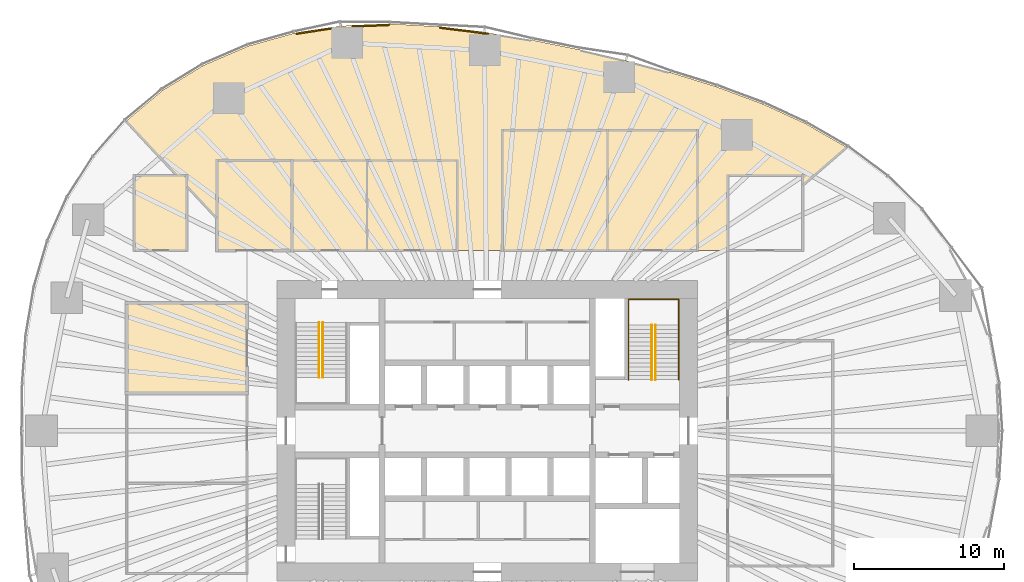
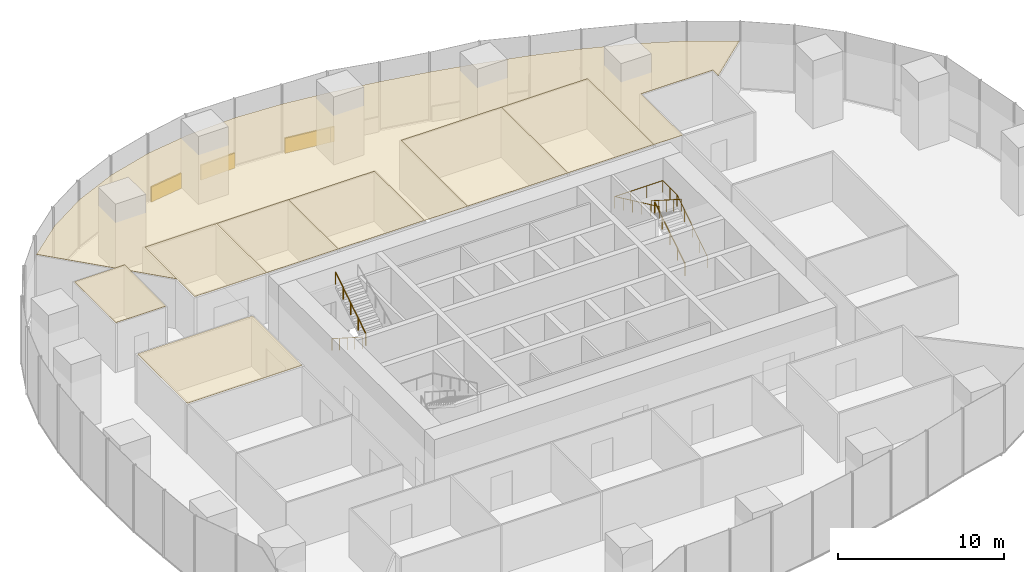
# One storey, part 19 of 20: 12 coverings, 5 railings.
"""IFC4 building model written with IfcOpenShell, lengths in metres."""

from ifc_helpers import new_model, si_unit, direction, frame, origin, origin_2d, place, context, subcontext, project, spatial, polyline, rectangle, circle, outline, extrude, material, layer, layer_set, type_object, element, save


model = new_model("IFC4")

# Units and contexts
model_context = context("Model", 3, precision=1e-05, world=origin(), true_north=direction((0.0, 1.0)))
body_context = subcontext(model_context, "Body", "Model", "MODEL_VIEW")
ifc_project = project(units=[si_unit("LENGTHUNIT", "METRE"), si_unit("AREAUNIT", "SQUARE_METRE"), si_unit("VOLUMEUNIT", "CUBIC_METRE"), si_unit("PLANEANGLEUNIT", "RADIAN"), si_unit("MASSUNIT", "GRAM", prefix="KILO")], contexts=[model_context])

# Site, building, storey
site_placement = place(None, origin())
site = spatial("IfcSite", under=ifc_project, at=site_placement, CompositionType="ELEMENT")
building_placement = place(site_placement, origin())
building = spatial("IfcBuilding", under=site, at=building_placement, Name="Ghaith Harvest Tower", CompositionType="ELEMENT")
storey_placement = place(building_placement, frame((0.0, 0.0, 45.0)))
storey = spatial("IfcBuildingStorey", under=building, at=storey_placement, Name="L09", CompositionType="ELEMENT", Elevation=45.0)

# Coverings
ifc_material_1 = material(Name="Mineral fibre ceiling tile", Category="gypsum")
ifc_layer_1 = layer(ifc_material_1, 0.02490234375)
ifc_layer_set_1 = layer_set([ifc_layer_1], Name="CEILING C2")
covering_type_1 = type_object("IfcCoveringType", Name="CEILING C2", PredefinedType="CEILING", material=ifc_layer_set_1)
covering_1_placement = place(storey_placement, frame((0.0, 0.0, 3.60009765625)))
element("IfcCovering", 1, at=covering_1_placement, inside=storey, type_object=covering_type_1, Name="Ceiling L09-08", PredefinedType="CEILING", context=body_context, shape_type="SweptSolid", body=[
    extrude(outline(polyline([(-24.0, 2.5), (-16.0, 2.5), (-16.0, 8.5), (-24.0, 8.5), (-24.0, 2.5)])), origin(), (0.0, 0.0, 1.0), 0.02490234375),
])
covering_2_placement = place(storey_placement, frame((0.0, 0.0, 3.60009765625)))
element("IfcCovering", 2, at=covering_2_placement, inside=storey, type_object=covering_type_1, Name="Ceiling L09-09", PredefinedType="CEILING", context=body_context, shape_type="SweptSolid", body=[
    extrude(outline(polyline([(-18.0, 12.0), (-13.0, 12.0), (-13.0, 18.0), (-18.0, 18.0), (-18.0, 12.0)])), origin(), (0.0, 0.0, 1.0), 0.02490234375),
])
covering_3_placement = place(storey_placement, frame((0.0, 0.0, 3.60009765625)))
element("IfcCovering", 3, at=covering_3_placement, inside=storey, type_object=covering_type_1, Name="Ceiling L09-10", PredefinedType="CEILING", context=body_context, shape_type="SweptSolid", body=[
    extrude(outline(polyline([(-13.0, 12.0), (-8.0, 12.0), (-8.0, 18.0), (-13.0, 18.0), (-13.0, 12.0)])), origin(), (0.0, 0.0, 1.0), 0.02490234375),
])
covering_4_placement = place(storey_placement, frame((0.0, 0.0, 3.60009765625)))
element("IfcCovering", 4, at=covering_4_placement, inside=storey, type_object=covering_type_1, Name="Ceiling L09-11", PredefinedType="CEILING", context=body_context, shape_type="SweptSolid", body=[
    extrude(outline(polyline([(-8.0, 12.0), (-2.0, 12.0), (-2.0, 18.0), (-8.0, 18.0), (-8.0, 12.0)])), origin(), (0.0, 0.0, 1.0), 0.02490234375),
])
covering_5_placement = place(storey_placement, frame((0.0, 0.0, 3.60009765625)))
element("IfcCovering", 5, at=covering_5_placement, inside=storey, type_object=covering_type_1, Name="Ceiling L09-12", PredefinedType="CEILING", context=body_context, shape_type="SweptSolid", body=[
    extrude(outline(polyline([(1.0, 12.0), (8.0, 12.0), (8.0, 20.0), (1.0, 20.0), (1.0, 12.0)])), origin(), (0.0, 0.0, 1.0), 0.02490234375),
])
covering_6_placement = place(storey_placement, frame((0.0, 0.0, 3.60009765625)))
element("IfcCovering", 6, at=covering_6_placement, inside=storey, type_object=covering_type_1, Name="Ceiling L09-13", PredefinedType="CEILING", context=body_context, shape_type="SweptSolid", body=[
    extrude(outline(polyline([(8.0, 12.0), (14.0, 12.0), (14.0, 20.0), (8.0, 20.0), (8.0, 12.0)])), origin(), (0.0, 0.0, 1.0), 0.02490234375),
])
covering_7_placement = place(storey_placement, frame((0.0, 0.0, 3.60009765625)))
element("IfcCovering", 7, at=covering_7_placement, inside=storey, type_object=covering_type_1, Name="Ceiling L09-17", PredefinedType="CEILING", context=body_context, shape_type="SweptSolid", body=[
    extrude(outline(polyline([(-23.5, 12.0), (-20.0, 12.0), (-20.0, 17.0), (-23.5, 17.0), (-23.5, 12.0)])), origin(), (0.0, 0.0, 1.0), 0.02490234375),
])
covering_8_placement = place(storey_placement, frame((0.0, 0.0, 3.60009765625)))
element("IfcCovering", 8, at=covering_8_placement, inside=storey, type_object=covering_type_1, Name="Ceiling L09-N1", PredefinedType="CEILING", context=body_context, shape_type="SweptSolid", body=[
    extrude(outline(polyline([(-21.59912109375, 22.671142578125), (-18.8935546875, 24.32763671875), (-15.907958984375, 25.614501953125), (-12.828125, 26.476806640625), (-9.733642578125, 26.949951171875), (-6.4375, 27.0849609375), (-3.24755859375, 26.91064453125), (-0.181396484375, 26.527099609375), (2.99560546875, 26.004150390625), (6.10888671875, 25.378662109375), (9.21533203125, 24.65087890625), (12.1796875, 23.857666015625), (15.22119140625, 22.916259765625), (18.34521484375, 21.7548828125), (21.149169921875, 20.469482421875), (23.92431640625, 18.873046875), (21.0, 16.336669921875), (21.0, 17.0), (16.0, 17.0), (16.0, 12.0), (14.0, 12.0), (14.0, 20.0), (1.0, 20.0), (1.0, 12.0), (-2.0, 12.0), (-2.0, 18.0), (-18.0, 18.0), (-18.0, 14.1416015625), (-20.0, 16.283203125), (-20.0, 17.0), (-20.669189453125, 17.0), (-24.04833984375, 20.618408203125), (-21.59912109375, 22.671142578125)])), origin(), (0.0, 0.0, 1.0), 0.02490234375),
])

# Railings
ifc_material_2 = material(Name="Steel, black powder-coated", Category="steel")
railing_type = type_object("IfcRailingType", Name="HANDRAIL HR1", PredefinedType="HANDRAIL", material=ifc_material_2)
railing_1_placement = place(storey_placement, frame((-11.199951171875, 7.199951171875, 0.178466796875)))
element("IfcRailing", 9, at=railing_1_placement, inside=storey, type_object=railing_type, Name="Handrail HR1 stair ST1 L09 flight 1 inner", PredefinedType="HANDRAIL", context=body_context, shape_type="SweptSolid", body=[
    extrude(circle(Radius=0.02392578125, at=origin_2d()), frame((0.0, 0.0, 0.8759765625), z_axis=(0.0, -0.843111507901, 0.53773877045), x_axis=(1.0, 0.0, 0.0)), (0.0, 0.0, 1.0), 4.317138671875),
    extrude(circle(Radius=0.02099609375, at=origin_2d()), origin(), (0.0, 0.0, 1.0), 0.851806640625),
    extrude(circle(Radius=0.02099609375, at=origin_2d()), frame((0.0, -0.909912109375, 0.580322265625)), (0.0, 0.0, 1.0), 0.851806640625),
    extrude(circle(Radius=0.02099609375, at=origin_2d()), frame((0.0, -1.81982421875, 1.16064453125)), (0.0, 0.0, 1.0), 0.851806640625),
    extrude(circle(Radius=0.02099609375, at=origin_2d()), frame((0.0, -2.72998046875, 1.7412109375)), (0.0, 0.0, 1.0), 0.851806640625),
    extrude(circle(Radius=0.02099609375, at=origin_2d()), frame((0.0, -3.639892578125, 2.321533203125)), (0.0, 0.0, 1.0), 0.851806640625),
])
railing_2_placement = place(storey_placement, frame((-10.949951171875, 3.56005859375, 2.678466796875)))
element("IfcRailing", 10, at=railing_2_placement, inside=storey, type_object=railing_type, Name="Handrail HR1 stair ST1 L09 flight 2 inner", PredefinedType="HANDRAIL", context=body_context, shape_type="SweptSolid", body=[
    extrude(circle(Radius=0.02392578125, at=origin_2d()), frame((0.0, 0.0, 0.8759765625), z_axis=(0.0, 0.843111507901, 0.53773877045), x_axis=(-1.0, 0.0, 0.0)), (0.0, 0.0, 1.0), 4.317138671875),
    extrude(circle(Radius=0.02099609375, at=origin_2d()), origin(), (0.0, 0.0, 1.0), 0.851806640625),
    extrude(circle(Radius=0.02099609375, at=origin_2d()), frame((0.0, 0.909912109375, 0.580322265625)), (0.0, 0.0, 1.0), 0.851806640625),
    extrude(circle(Radius=0.02099609375, at=origin_2d()), frame((0.0, 1.81982421875, 1.16064453125)), (0.0, 0.0, 1.0), 0.851806640625),
    extrude(circle(Radius=0.02099609375, at=origin_2d()), frame((0.0, 2.72998046875, 1.7412109375)), (0.0, 0.0, 1.0), 0.851806640625),
    extrude(circle(Radius=0.02099609375, at=origin_2d()), frame((0.0, 3.639892578125, 2.321533203125)), (0.0, 0.0, 1.0), 0.851806640625),
])
railing_3_placement = place(storey_placement, frame((11.199951171875, 3.39990234375, 0.178466796875)))
element("IfcRailing", 11, at=railing_3_placement, inside=storey, type_object=railing_type, Name="Handrail HR1 stair ST2 L09 flight 1 inner", PredefinedType="HANDRAIL", context=body_context, shape_type="SweptSolid", body=[
    extrude(circle(Radius=0.02392578125, at=origin_2d()), frame((0.0, 0.0, 0.8759765625), z_axis=(0.0, 0.843127859045, 0.537713132908), x_axis=(-1.0, 0.0, 0.0)), (0.0, 0.0, 1.0), 4.3173828125),
    extrude(circle(Radius=0.02099609375, at=origin_2d()), origin(), (0.0, 0.0, 1.0), 0.851806640625),
    extrude(circle(Radius=0.02099609375, at=origin_2d()), frame((0.0, 0.91015625, 0.580322265625)), (0.0, 0.0, 1.0), 0.851806640625),
    extrude(circle(Radius=0.02099609375, at=origin_2d()), frame((0.0, 1.820068359375, 1.16064453125)), (0.0, 0.0, 1.0), 0.851806640625),
    extrude(circle(Radius=0.02099609375, at=origin_2d()), frame((0.0, 2.72998046875, 1.7412109375)), (0.0, 0.0, 1.0), 0.851806640625),
    extrude(circle(Radius=0.02099609375, at=origin_2d()), frame((0.0, 3.64013671875, 2.321533203125)), (0.0, 0.0, 1.0), 0.851806640625),
])
railing_4_placement = place(storey_placement, frame((10.949951171875, 7.0400390625, 2.678466796875)))
element("IfcRailing", 12, at=railing_4_placement, inside=storey, type_object=railing_type, Name="Handrail HR1 stair ST2 L09 flight 2 inner", PredefinedType="HANDRAIL", context=body_context, shape_type="SweptSolid", body=[
    extrude(circle(Radius=0.02392578125, at=origin_2d()), frame((0.0, 0.0, 0.8759765625), z_axis=(0.0, -0.843127859045, 0.537713132908), x_axis=(1.0, 0.0, 0.0)), (0.0, 0.0, 1.0), 4.3173828125),
    extrude(circle(Radius=0.02099609375, at=origin_2d()), origin(), (0.0, 0.0, 1.0), 0.851806640625),
    extrude(circle(Radius=0.02099609375, at=origin_2d()), frame((0.0, -0.91015625, 0.580322265625)), (0.0, 0.0, 1.0), 0.851806640625),
    extrude(circle(Radius=0.02099609375, at=origin_2d()), frame((0.0, -1.820068359375, 1.16064453125)), (0.0, 0.0, 1.0), 0.851806640625),
    extrude(circle(Radius=0.02099609375, at=origin_2d()), frame((0.0, -2.72998046875, 1.7412109375)), (0.0, 0.0, 1.0), 0.851806640625),
    extrude(circle(Radius=0.02099609375, at=origin_2d()), frame((0.0, -3.64013671875, 2.321533203125)), (0.0, 0.0, 1.0), 0.851806640625),
])
railing_5_placement = place(storey_placement, frame((12.75, 3.39990234375, 0.178466796875)))
element("IfcRailing", 13, at=railing_5_placement, inside=storey, type_object=railing_type, Name="Handrail HR1 stair ST2 L09 wall side", PredefinedType="HANDRAIL", context=body_context, shape_type="SweptSolid", body=[
    extrude(circle(Radius=0.02392578125, at=origin_2d()), frame((0.0, 0.0, 0.8759765625), z_axis=(0.0, 0.843127859045, 0.537713132908), x_axis=(-1.0, 0.0, 0.0)), (0.0, 0.0, 1.0), 4.3173828125),
    extrude(circle(Radius=0.02392578125, at=origin_2d()), frame((0.0, 3.64013671875, 3.197265625), z_axis=(0.0, 1.0, 0.0), x_axis=(-1.0, 0.0, 0.0)), (0.0, 0.0, 1.0), 1.7099609375),
    extrude(circle(Radius=0.02392578125, at=origin_2d()), frame((0.0, 5.35009765625, 3.197265625), z_axis=(-1.0, 0.0, 0.0), x_axis=(0.0, -1.0, 0.0)), (0.0, 0.0, 1.0), 3.35009765625),
    extrude(circle(Radius=0.02392578125, at=origin_2d()), frame((-3.35009765625, 5.35009765625, 3.197265625), z_axis=(0.0, -0.905969675553, 0.423342588193), x_axis=(1.0, 0.0, 0.0)), (0.0, 0.0, 1.0), 5.9052734375),
    extrude(circle(Radius=0.02099609375, at=origin_2d()), origin(), (0.0, 0.0, 1.0), 0.851806640625),
    extrude(circle(Radius=0.02099609375, at=origin_2d()), frame((0.0, 0.91015625, 0.580322265625)), (0.0, 0.0, 1.0), 0.851806640625),
    extrude(circle(Radius=0.02099609375, at=origin_2d()), frame((0.0, 1.820068359375, 1.16064453125)), (0.0, 0.0, 1.0), 0.851806640625),
    extrude(circle(Radius=0.02099609375, at=origin_2d()), frame((0.0, 2.72998046875, 1.7412109375)), (0.0, 0.0, 1.0), 0.851806640625),
    extrude(circle(Radius=0.02099609375, at=origin_2d()), frame((0.0, 3.64013671875, 2.321533203125)), (0.0, 0.0, 1.0), 0.851806640625),
    extrude(circle(Radius=0.02099609375, at=origin_2d()), frame((0.0, 4.4951171875, 2.321533203125)), (0.0, 0.0, 1.0), 0.851806640625),
    extrude(circle(Radius=0.02099609375, at=origin_2d()), frame((0.0, 5.35009765625, 2.321533203125)), (0.0, 0.0, 1.0), 0.851806640625),
    extrude(circle(Radius=0.02099609375, at=origin_2d()), frame((-1.11669921875, 5.35009765625, 2.321533203125)), (0.0, 0.0, 1.0), 0.851806640625),
    extrude(circle(Radius=0.02099609375, at=origin_2d()), frame((-2.2333984375, 5.35009765625, 2.321533203125)), (0.0, 0.0, 1.0), 0.851806640625),
    extrude(circle(Radius=0.02099609375, at=origin_2d()), frame((-3.35009765625, 5.35009765625, 2.321533203125)), (0.0, 0.0, 1.0), 0.851806640625),
    extrude(circle(Radius=0.02099609375, at=origin_2d()), frame((-3.35009765625, 4.280029296875, 2.821533203125)), (0.0, 0.0, 1.0), 0.851806640625),
    extrude(circle(Radius=0.02099609375, at=origin_2d()), frame((-3.35009765625, 3.2099609375, 3.321533203125)), (0.0, 0.0, 1.0), 0.851806640625),
    extrude(circle(Radius=0.02099609375, at=origin_2d()), frame((-3.35009765625, 2.14013671875, 3.821533203125)), (0.0, 0.0, 1.0), 0.851806640625),
    extrude(circle(Radius=0.02099609375, at=origin_2d()), frame((-3.35009765625, 1.070068359375, 4.321533203125)), (0.0, 0.0, 1.0), 0.851806640625),
    extrude(circle(Radius=0.02099609375, at=origin_2d()), frame((-3.35009765625, 0.0, 4.821533203125)), (0.0, 0.0, 1.0), 0.851806640625),
])

# Coverings
ifc_material_3 = material(Name="Insulated aluminium spandrel panel on steel framing", Category="steel")
ifc_layer_2 = layer(ifc_material_3, 0.10009765625)
ifc_layer_set_2 = layer_set([ifc_layer_2], Name="SLAB EDGE UPSTAND 1100x100")
covering_type_2 = type_object("IfcCoveringType", Name="SLAB EDGE UPSTAND 1100x100", PredefinedType="CLADDING", material=ifc_layer_set_2)
covering_9_placement = place(storey_placement, frame((-0.063720703125, 26.45703125, 0.0), z_axis=(0.0, 0.0, 1.0), x_axis=(-0.986716247541, 0.162453214305, 0.0)))
element("IfcCovering", 14, at=covering_9_placement, inside=storey, type_object=covering_type_2, Name="Slab edge upstand 3 bay 05 L09", PredefinedType="CLADDING", context=body_context, shape_type="SweptSolid", body=[
    extrude(rectangle(XDim=0.255126953125, YDim=0.10009765625, at=origin_2d()), origin(), (0.0, 0.0, 1.0), 1.10009765625),
])
covering_10_placement = place(storey_placement, frame((-1.671142578125, 26.6630859375, 0.0), z_axis=(0.0, 0.0, 1.0), x_axis=(-0.99226486887, 0.124138753038, 0.0)))
element("IfcCovering", 15, at=covering_10_placement, inside=storey, type_object=covering_type_2, Name="Slab edge upstand 1 bay 06 L09", PredefinedType="CLADDING", context=body_context, shape_type="SweptSolid", body=[
    extrude(rectangle(XDim=2.98974609375, YDim=0.10009765625, at=origin_2d()), origin(), (0.0, 0.0, 1.0), 1.10009765625),
])
covering_11_placement = place(storey_placement, frame((-7.75537109375, 26.98095703125, 0.0), z_axis=(0.0, 0.0, 1.0), x_axis=(-0.999160890982, -0.040957464901, 0.0)))
element("IfcCovering", 16, at=covering_11_placement, inside=storey, type_object=covering_type_2, Name="Slab edge upstand 3 bay 06 L09", PredefinedType="CLADDING", context=body_context, shape_type="SweptSolid", body=[
    extrude(rectangle(XDim=2.44189453125, YDim=0.10009765625, at=origin_2d()), origin(), (0.0, 0.0, 1.0), 1.10009765625),
])
covering_12_placement = place(storey_placement, frame((-11.5576171875, 26.62060546875, 0.0), z_axis=(0.0, 0.0, 1.0), x_axis=(-0.988517924816, -0.1511036476, 0.0)))
element("IfcCovering", 17, at=covering_12_placement, inside=storey, type_object=covering_type_2, Name="Slab edge upstand 1 bay 07 L09", PredefinedType="CLADDING", context=body_context, shape_type="SweptSolid", body=[
    extrude(rectangle(XDim=2.355224609375, YDim=0.10009765625, at=origin_2d()), origin(), (0.0, 0.0, 1.0), 1.10009765625),
])

save(model, "model.ifc")
